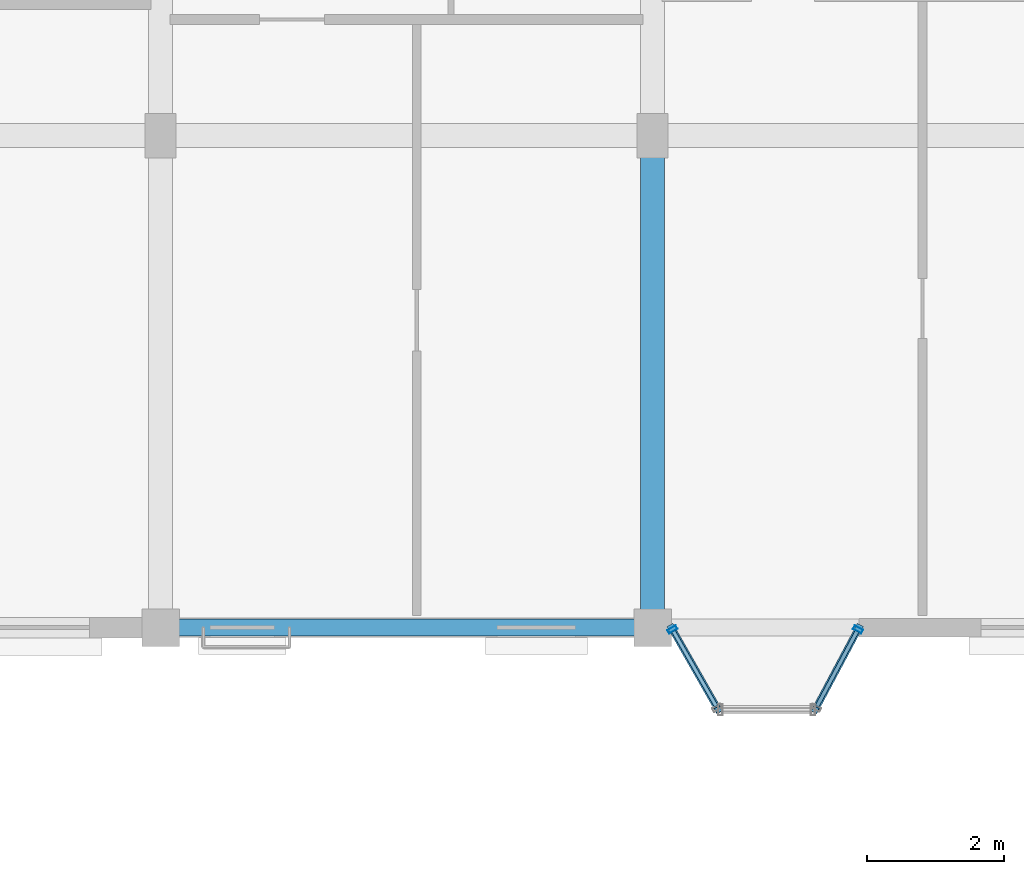
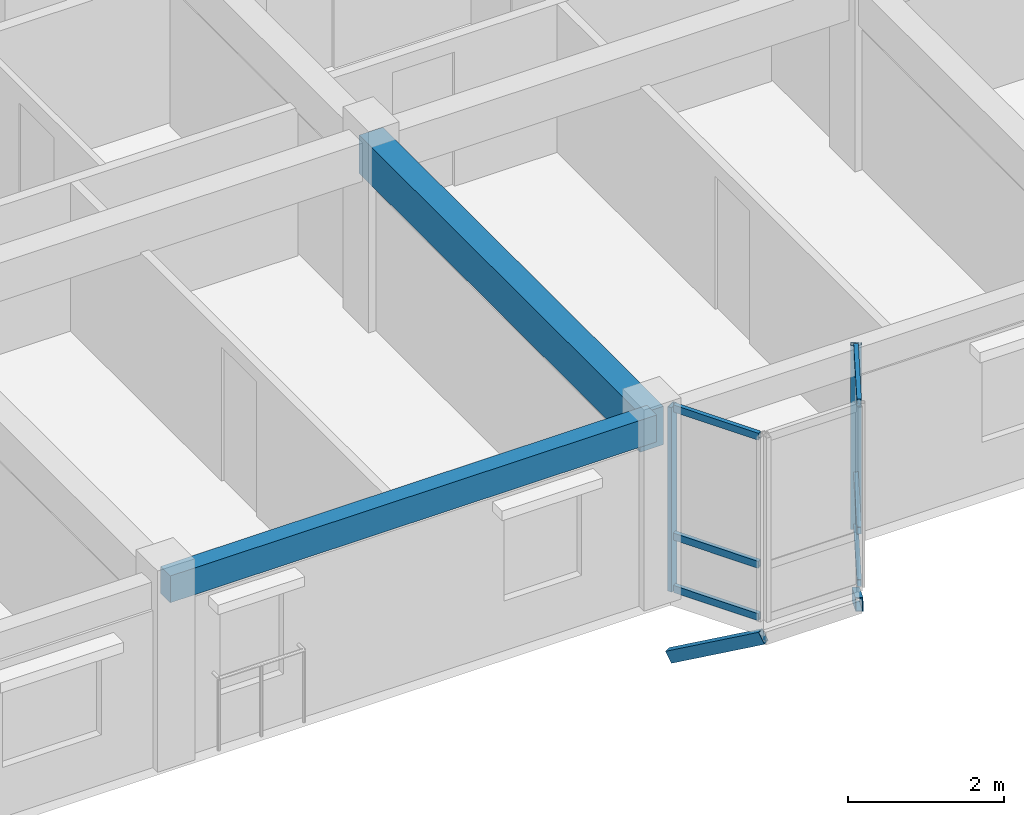
# One storey, part 35 of 75: 10 members, 2 beams, 2 elements without a shape of their own.
"""IFC4 building model written with IfcOpenShell, lengths in metres."""

from ifc_helpers import new_model, si_unit, direction, frame, origin, origin_2d, place, context, subcontext, project, spatial, rectangle, hollow_rectangle, extrude, material, layer, layer_set, material_profile, profile_set, type_object, element, aggregate, save


model = new_model("IFC4")

# Units and contexts
model_context = context("Model", 3, precision=1e-05, world=origin(), true_north=direction((0.0, 1.0)))
body_context = subcontext(model_context, "Body", "Model", "MODEL_VIEW")
ifc_project = project(units=[si_unit("LENGTHUNIT", "METRE"), si_unit("AREAUNIT", "SQUARE_METRE"), si_unit("VOLUMEUNIT", "CUBIC_METRE"), si_unit("PLANEANGLEUNIT", "RADIAN"), si_unit("MASSUNIT", "GRAM", prefix="KILO"), si_unit("THERMODYNAMICTEMPERATUREUNIT", "KELVIN"), si_unit("POWERUNIT", "WATT")], contexts=[model_context])

# Site, building, storey
site_placement = place(None, origin())
site = spatial("IfcSite", under=ifc_project, at=site_placement, CompositionType="ELEMENT")
building_placement = place(site_placement, origin())
building = spatial("IfcBuilding", under=site, at=building_placement, Name="Tavuni Mirador Residences", CompositionType="ELEMENT")
storey_placement = place(building_placement, frame((0.0, 0.0, 20.25)))
storey = spatial("IfcBuildingStorey", under=building, at=storey_placement, Name="L06", CompositionType="ELEMENT", Elevation=20.25)

# Beams
ifc_material_1 = material(Name="Precast concrete C40/50", Category="concrete")
ifc_material_profile_1 = material_profile(ifc_material_1, rectangle(XDim=0.35009765625, YDim=0.60009765625, at=origin_2d()), Name="PC 350x600", Category="concrete")
ifc_profile_set_1 = profile_set([ifc_material_profile_1], Name="Precast concrete C40/50")
beam_type_1 = type_object("IfcBeamType", Name="BT-B600", PredefinedType="BEAM", material=ifc_profile_set_1)
beam_1_placement = place(storey_placement, frame((46.800048828125, 144.0, 2.5849609375), z_axis=(0.0, 1.0, 0.0), x_axis=(-1.0, 0.0, 0.0)))
element("IfcBeam", 1, at=beam_1_placement, inside=storey, type_object=beam_type_1, Name="BMY-BLK-C-L06-05-00", PredefinedType="BEAM", context=body_context, shape_type="SweptSolid", body=[
    extrude(rectangle(XDim=0.35009765625, YDim=0.60009765625, at=origin_2d()), origin(), (0.0, 0.0, 1.0), 7.199951171875),
])
ifc_material_profile_2 = material_profile(ifc_material_1, rectangle(XDim=0.25, YDim=0.419921875, at=origin_2d()), Name="PC 250x420", Category="concrete")
ifc_profile_set_2 = profile_set([ifc_material_profile_2], Name="Precast concrete C40/50")
beam_type_2 = type_object("IfcBeamType", Name="BT-SP420", PredefinedType="SPANDREL", material=ifc_profile_set_2)
beam_2_placement = place(storey_placement, frame((39.60009765625, 144.0, 2.675048828125), z_axis=(1.0, 0.0, 0.0), x_axis=(0.0, 1.0, 0.0)))
element("IfcBeam", 2, at=beam_2_placement, inside=storey, type_object=beam_type_2, Name="BMX-BLK-C-L06-04-00", PredefinedType="SPANDREL", context=body_context, shape_type="SweptSolid", body=[
    extrude(rectangle(XDim=0.25, YDim=0.419921875, at=origin_2d()), origin(), (0.0, 0.0, 1.0), 7.199951171875),
])

# Curtain wall, member
ifc_material_2 = material(Name="Anodised aluminium", Category="aluminium")
ifc_layer_1 = layer(ifc_material_2, 0.175048828125, Name="Anodised aluminium", Category="aluminium")
ifc_layer_set_1 = layer_set([ifc_layer_1], Name="Anodised aluminium")
curtain_wall_type_1 = type_object("IfcCurtainWallType", Name="CWT-MIR-C", PredefinedType="NOTDEFINED", material=ifc_layer_set_1)
curtain_wall_1_placement = place(storey_placement, origin())
curtain_wall_1 = element("IfcCurtainWall", 3, at=curtain_wall_1_placement, inside=storey, type_object=curtain_wall_type_1, Name="CW-MIR-C-S3-L06-M1", PredefinedType="NOTDEFINED")
ifc_material_profile_3 = material_profile(ifc_material_2, hollow_rectangle(XDim=0.06005859375, YDim=0.139892578125, WallThickness=0.00390625, at=origin_2d()), Name="ALU 60x140x4.0", Category="aluminium")
ifc_profile_set_3 = profile_set([ifc_material_profile_3], Name="Anodised aluminium")
member_type_1 = type_object("IfcMemberType", Name="CWM-140", PredefinedType="MULLION", material=ifc_profile_set_3)
member_1_placement = place(storey_placement, frame((47.08984375, 143.973876953125, 0.0), z_axis=(0.0, 0.0, 1.0), x_axis=(0.495749192217, -0.868465738194, 0.0)))
member_1 = element("IfcMember", 4, at=member_1_placement, type_object=member_type_1, Name="CW-03 mullion 1", PredefinedType="MULLION", context=body_context, shape_type="SweptSolid", body=[
    extrude(hollow_rectangle(XDim=0.06005859375, YDim=0.139892578125, WallThickness=0.00390625, at=origin_2d()), origin(), (0.0, 0.0, 1.0), 2.885009765625),
])

ifc_layer_2 = layer(ifc_material_2, 0.1650390625, Name="Anodised aluminium", Category="aluminium")
ifc_layer_set_2 = layer_set([ifc_layer_2], Name="Anodised aluminium")
curtain_wall_type_2 = type_object("IfcCurtainWallType", Name="CWT-MIR-A", PredefinedType="NOTDEFINED", material=ifc_layer_set_2)
curtain_wall_2_placement = place(storey_placement, origin())
curtain_wall_2 = element("IfcCurtainWall", 5, at=curtain_wall_2_placement, inside=storey, type_object=curtain_wall_type_2, Name="CW-MIR-C-S3-L06-M2", PredefinedType="NOTDEFINED")
member_2_placement = place(storey_placement, frame((49.805908203125, 143.9736328125, 0.0), z_axis=(0.0, 0.0, 1.0), x_axis=(0.470588235296, 0.882352941175, 0.0)))
member_2 = element("IfcMember", 6, at=member_2_placement, type_object=member_type_1, Name="CW-01 mullion 2", PredefinedType="MULLION", context=body_context, shape_type="SweptSolid", body=[
    extrude(hollow_rectangle(XDim=0.06005859375, YDim=0.139892578125, WallThickness=0.00390625, at=origin_2d()), origin(), (0.0, 0.0, 1.0), 2.885009765625),
])

# Member
ifc_material_profile_4 = material_profile(ifc_material_2, hollow_rectangle(XDim=0.06005859375, YDim=0.110107421875, WallThickness=0.00390625, at=origin_2d()), Name="ALU 60x110x4.0", Category="aluminium")
ifc_profile_set_4 = profile_set([ifc_material_profile_4], Name="Anodised aluminium")
member_type_2 = type_object("IfcMemberType", Name="CWT-110", PredefinedType="USERDEFINED", material=ifc_profile_set_4)
member_3_placement = place(storey_placement, frame((47.104736328125, 143.947998046875, 0.030029296875), z_axis=(0.49568048457, -0.868504955205, 0.0), x_axis=(0.868504955205, 0.49568048457, 0.0)))
member_3 = element("IfcMember", 7, at=member_3_placement, type_object=member_type_2, Name="CW-03 transom 1.1", ObjectType="TRANSOM", PredefinedType="USERDEFINED", context=body_context, shape_type="SweptSolid", body=[
    extrude(hollow_rectangle(XDim=0.06005859375, YDim=0.110107421875, WallThickness=0.00390625, at=origin_2d()), origin(), (0.0, 0.0, 1.0), 1.261962890625),
])

member_4_placement = place(storey_placement, frame((47.104736328125, 143.947998046875, 0.85009765625), z_axis=(0.49568048457, -0.868504955205, 0.0), x_axis=(0.868504955205, 0.49568048457, 0.0)))
member_4 = element("IfcMember", 8, at=member_4_placement, type_object=member_type_2, Name="CW-03 transom 1.2", ObjectType="TRANSOM", PredefinedType="USERDEFINED", context=body_context, shape_type="SweptSolid", body=[
    extrude(hollow_rectangle(XDim=0.06005859375, YDim=0.110107421875, WallThickness=0.00390625, at=origin_2d()), origin(), (0.0, 0.0, 1.0), 1.261962890625),
])

member_5_placement = place(storey_placement, frame((47.104736328125, 143.947998046875, 2.85498046875), z_axis=(0.49568048457, -0.868504955205, 0.0), x_axis=(0.868504955205, 0.49568048457, 0.0)))
member_5 = element("IfcMember", 9, at=member_5_placement, type_object=member_type_2, Name="CW-03 transom 1.3", ObjectType="TRANSOM", PredefinedType="USERDEFINED", context=body_context, shape_type="SweptSolid", body=[
    extrude(hollow_rectangle(XDim=0.06005859375, YDim=0.110107421875, WallThickness=0.00390625, at=origin_2d()), origin(), (0.0, 0.0, 1.0), 1.261962890625),
])

aggregate(curtain_wall_1, [member_1, member_3, member_4, member_5])

member_6_placement = place(storey_placement, frame((49.208251953125, 142.85302734375, 0.030029296875), z_axis=(0.470608675382, 0.882342039492, 0.0), x_axis=(-0.882342039492, 0.470608675382, 0.0)))
member_6 = element("IfcMember", 10, at=member_6_placement, type_object=member_type_2, Name="CW-01 transom 1.1", ObjectType="TRANSOM", PredefinedType="USERDEFINED", context=body_context, shape_type="SweptSolid", body=[
    extrude(hollow_rectangle(XDim=0.06005859375, YDim=0.110107421875, WallThickness=0.00390625, at=origin_2d()), origin(), (0.0, 0.0, 1.0), 1.239990234375),
])

member_7_placement = place(storey_placement, frame((49.208251953125, 142.85302734375, 0.85009765625), z_axis=(0.470608675382, 0.882342039492, 0.0), x_axis=(-0.882342039492, 0.470608675382, 0.0)))
member_7 = element("IfcMember", 11, at=member_7_placement, type_object=member_type_2, Name="CW-01 transom 1.2", ObjectType="TRANSOM", PredefinedType="USERDEFINED", context=body_context, shape_type="SweptSolid", body=[
    extrude(hollow_rectangle(XDim=0.06005859375, YDim=0.110107421875, WallThickness=0.00390625, at=origin_2d()), origin(), (0.0, 0.0, 1.0), 1.239990234375),
])

member_8_placement = place(storey_placement, frame((49.208251953125, 142.85302734375, 2.85498046875), z_axis=(0.470608675382, 0.882342039492, 0.0), x_axis=(-0.882342039492, 0.470608675382, 0.0)))
member_8 = element("IfcMember", 12, at=member_8_placement, type_object=member_type_2, Name="CW-01 transom 1.3", ObjectType="TRANSOM", PredefinedType="USERDEFINED", context=body_context, shape_type="SweptSolid", body=[
    extrude(hollow_rectangle(XDim=0.06005859375, YDim=0.110107421875, WallThickness=0.00390625, at=origin_2d()), origin(), (0.0, 0.0, 1.0), 1.239990234375),
])

aggregate(curtain_wall_2, [member_2, member_6, member_7, member_8])

# Members
ifc_material_3 = material(Name="Structural steel S355", Category="steel")
ifc_material_profile_5 = material_profile(ifc_material_3, hollow_rectangle(XDim=0.10009765625, YDim=0.179931640625, WallThickness=0.008056640625, at=origin_2d()), Name="RHS 180x100x8.0", Category="steel")
ifc_profile_set_5 = profile_set([ifc_material_profile_5], Name="Structural steel S355")
member_type_3 = type_object("IfcMemberType", Name="MT-BR-RHS180", PredefinedType="BRACE", material=ifc_profile_set_5)
member_9_placement = place(storey_placement, frame((47.074951171875, 144.0, -1.050048828125), z_axis=(0.431062666154, -0.755050963701, 0.494047588863), x_axis=(0.868438794398, 0.495796390047, 0.0)))
element("IfcMember", 13, at=member_9_placement, inside=storey, type_object=member_type_3, Name="MBRK-MIR-C-S3-L06-1", PredefinedType="BRACE", context=body_context, shape_type="SweptSolid", body=[
    extrude(hollow_rectangle(XDim=0.10009765625, YDim=0.179931640625, WallThickness=0.008056640625, at=origin_2d()), origin(), (0.0, 0.0, 1.0), 1.589111328125),
])
member_10_placement = place(storey_placement, frame((49.820068359375, 144.0, -1.050048828125), z_axis=(-0.4076288534, -0.764109769055, 0.499974978084), x_axis=(0.882303244255, -0.470681405175, 0.0)))
element("IfcMember", 14, at=member_10_placement, inside=storey, type_object=member_type_3, Name="MBRK-MIR-C-S3-L06-2", PredefinedType="BRACE", context=body_context, shape_type="SweptSolid", body=[
    extrude(hollow_rectangle(XDim=0.10009765625, YDim=0.179931640625, WallThickness=0.008056640625, at=origin_2d()), origin(), (0.0, 0.0, 1.0), 1.5703125),
])

save(model, "model.ifc")
